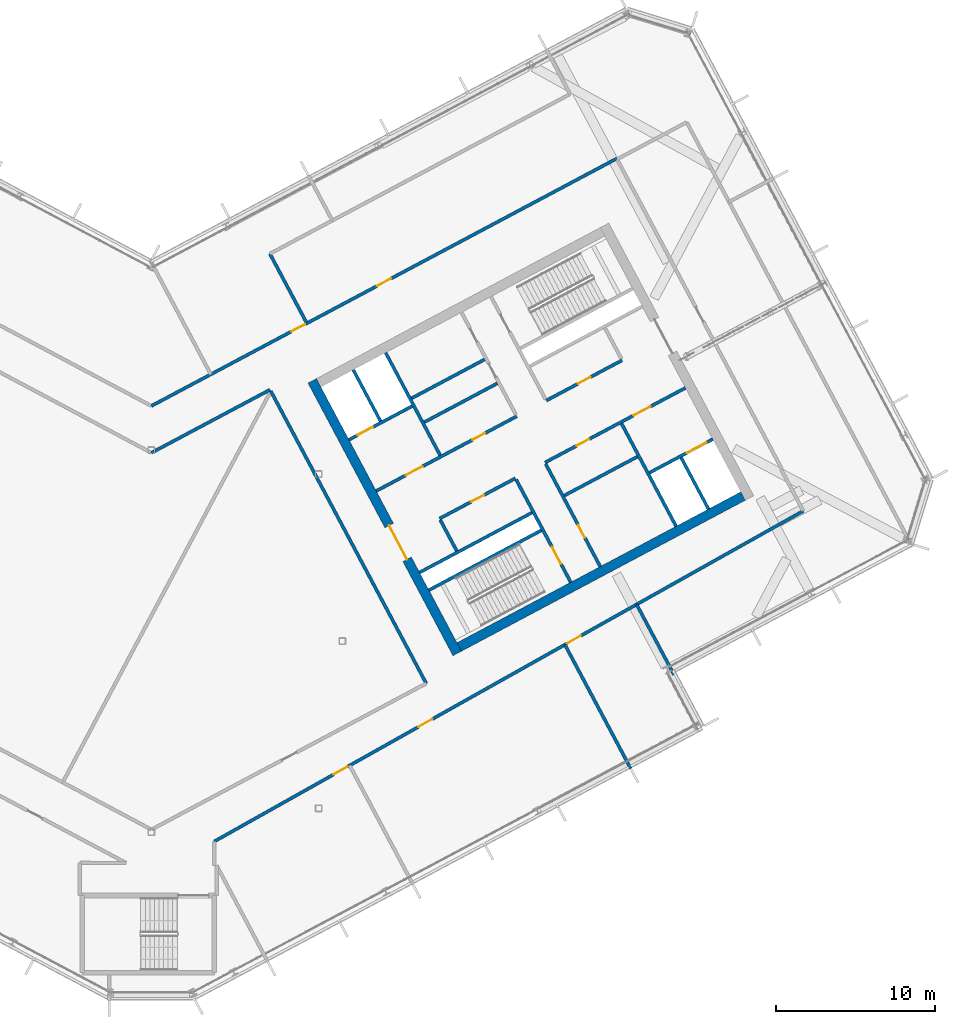
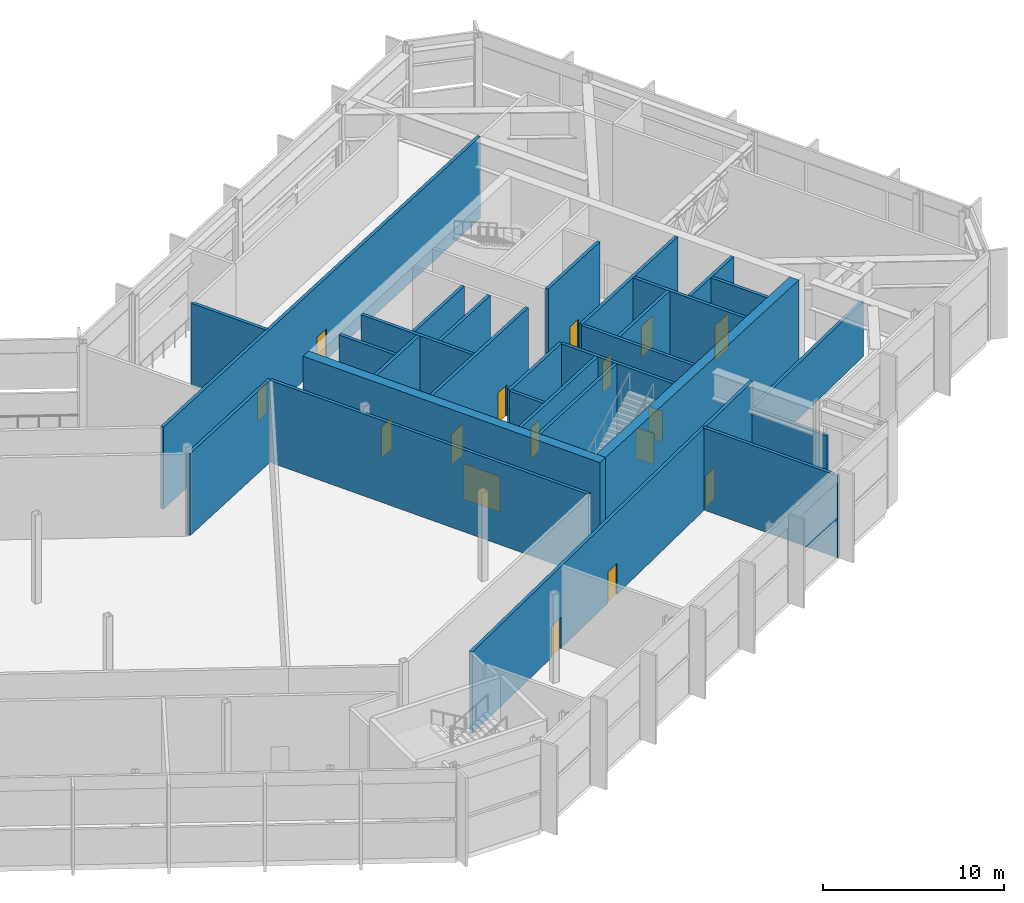
# One storey, part 17 of 33: 28 walls, 16 doors, 16 openings.
"""IFC4 building model written with IfcOpenShell, lengths in metres."""

from ifc_helpers import new_model, si_unit, direction, frame, frame_2d, origin, place, context, subcontext, project, spatial, rectangle, extrude, material, layer, layer_set, type_object, element, fill, save


model = new_model("IFC4")

# Units and contexts
model_context = context("Model", 3, precision=1e-05, world=origin(), true_north=direction((0.0, 1.0)))
body_context = subcontext(model_context, "Body", "Model", "MODEL_VIEW")
ifc_project = project(units=[si_unit("LENGTHUNIT", "METRE"), si_unit("AREAUNIT", "SQUARE_METRE"), si_unit("VOLUMEUNIT", "CUBIC_METRE"), si_unit("PLANEANGLEUNIT", "RADIAN"), si_unit("MASSUNIT", "GRAM", prefix="KILO")], contexts=[model_context])

# Site, building, storey
site_placement = place(None, origin())
site = spatial("IfcSite", under=ifc_project, at=site_placement, CompositionType="ELEMENT")
building_placement = place(site_placement, origin())
building = spatial("IfcBuilding", under=site, at=building_placement, Name="Cormorant Relay Tower", CompositionType="ELEMENT")
storey_placement = place(building_placement, frame((0.0, 0.0, 252.0)))
storey = spatial("IfcBuildingStorey", under=building, at=storey_placement, Name="L56", CompositionType="ELEMENT", Elevation=252.0)

# Walls
ifc_material_1 = material(Name="Concrete 40 MPa", Category="concrete")
ifc_layer_1 = layer(ifc_material_1, 0.199951171875)
ifc_layer_set_1 = layer_set([ifc_layer_1], Name="Core internal wall 200")
wall_type_1 = type_object("IfcWallType", Name="Core internal wall 200", PredefinedType="SOLIDWALL", material=ifc_layer_set_1)
wall_1_placement = place(storey_placement, frame((16.3486328125, 15.26171875, 0.0), z_axis=(0.0, 0.0, 1.0), x_axis=(0.882953967957, 0.469459572775, 0.0)))
element("IfcWall", 1, at=wall_1_placement, inside=storey, type_object=wall_type_1, Name="L56 core B shaft and room wall", PredefinedType="SOLIDWALL", context=body_context, shape_type="SweptSolid", body=[
    extrude(rectangle(XDim=5.199951171875, YDim=0.199951171875, at=frame_2d((2.60009765625, 0.0))), origin(), (0.0, 0.0, 1.0), 6.0),
])
ifc_material_2 = material(Name="Concrete 50 MPa", Category="concrete")
ifc_layer_2 = layer(ifc_material_2, 0.199951171875)
ifc_layer_set_2 = layer_set([ifc_layer_2], Name="Core shaft wall 200")
wall_type_2 = type_object("IfcWallType", Name="Core shaft wall 200", PredefinedType="SHEAR", material=ifc_layer_set_2)
wall_2_placement = place(storey_placement, frame((14.39404296875, 13.825927734375, 0.0), z_axis=(0.0, 0.0, 1.0), x_axis=(-0.469494272526, 0.882935517501, 0.0)))
element("IfcWall", 2, at=wall_2_placement, inside=storey, type_object=wall_type_2, Name="L56 core B shaft wall", PredefinedType="SHEAR", context=body_context, shape_type="SweptSolid", body=[
    extrude(rectangle(XDim=3.64990234375, YDim=0.199951171875, at=frame_2d((1.824951171875, 0.0))), origin(), (0.0, 0.0, 1.0), 6.0),
])
wall_3_placement = place(storey_placement, frame((19.18359375, 5.669921875, 0.0), z_axis=(0.0, 0.0, 1.0), x_axis=(-0.4694473164, 0.882960484464, 0.0)))
element("IfcWall", 3, at=wall_3_placement, inside=storey, type_object=wall_type_2, Name="L56 core B shaft wall", PredefinedType="SHEAR", context=body_context, shape_type="SweptSolid", body=[
    extrude(rectangle(XDim=2.199951171875, YDim=0.199951171875, at=frame_2d((1.10009765625, 0.0))), origin(), (0.0, 0.0, 1.0), 6.0),
])
wall_4_placement = place(storey_placement, frame((18.138427734375, 11.682861328125, 0.0), z_axis=(0.0, 0.0, 1.0), x_axis=(-0.469480409012, 0.88294288918, 0.0)))
element("IfcWall", 4, at=wall_4_placement, inside=storey, type_object=wall_type_2, Name="L56 core B shaft wall", PredefinedType="SHEAR", context=body_context, shape_type="SweptSolid", body=[
    extrude(rectangle(XDim=7.300048828125, YDim=0.199951171875, at=frame_2d((3.64990234375, 0.0))), origin(), (0.0, 0.0, 1.0), 6.0),
])

# Wall, opening, door
wall_5_placement = place(storey_placement, frame((26.345947265625, 3.701904296875, 0.0), z_axis=(0.0, 0.0, 1.0), x_axis=(-0.469480409012, 0.88294288918, 0.0)))
wall_5 = element("IfcWall", 5, at=wall_5_placement, inside=storey, type_object=wall_type_2, Name="L56 core B shaft wall", PredefinedType="SHEAR", context=body_context, shape_type="SweptSolid", body=[
    extrude(rectangle(XDim=7.300048828125, YDim=0.199951171875, at=frame_2d((3.64990234375, 0.0))), origin(), (0.0, 0.0, 1.0), 6.0),
])
opening_1_placement = place(wall_5_placement, frame((1.300048828125, 0.0, 0.0)))
opening_1 = element("IfcOpeningElement", 6, at=opening_1_placement, cuts=wall_5, Name="Opening CDB-031", PredefinedType="OPENING", context=body_context, shape_type="SweptSolid", body=[
    extrude(rectangle(XDim=1.199951171875, YDim=2.10009765625, at=frame_2d((0.60009765625, 1.050048828125))), frame((0.0, 0.10986328125, 0.0), z_axis=(0.0, -1.0, 0.0), x_axis=(1.0, 0.0, 0.0)), (0.0, 0.0, 1.0), 0.219970703125),
])
ifc_material_3 = material(Name="Steel fire door", Category="steel")
door_type_1 = type_object("IfcDoorType", Name="Core stair door 1200x2100", OperationType="SINGLE_SWING_LEFT", PredefinedType="DOOR", material=ifc_material_3)
door_1_placement = place(opening_1_placement, origin())
door_1 = element("IfcDoor", 7, at=door_1_placement, inside=storey, type_object=door_type_1, Name="Core stair door 1200x2100", OperationType="SINGLE_SWING_RIGHT", OverallHeight=2.10009765625, OverallWidth=1.199951171875, PredefinedType="DOOR", context=body_context, shape_type="SweptSolid", body=[
    extrude(rectangle(XDim=1.199951171875, YDim=2.10009765625, at=frame_2d((0.60009765625, 1.050048828125))), frame((0.0, 0.02490234375, 0.0), z_axis=(0.0, -1.0, 0.0), x_axis=(1.0, 0.0, 0.0)), (0.0, 0.0, 1.0), 0.050048828125),
])
fill(opening_1, door_1)

wall_6_placement = place(storey_placement, frame((28.199951171875, 4.687744140625, 0.0), z_axis=(0.0, 0.0, 1.0), x_axis=(-0.469454336211, 0.882956752176, 0.0)))
wall_6 = element("IfcWall", 8, at=wall_6_placement, inside=storey, type_object=wall_type_2, Name="L56 core B shaft wall", PredefinedType="SHEAR", context=body_context, shape_type="SweptSolid", body=[
    extrude(rectangle(XDim=7.300048828125, YDim=0.199951171875, at=frame_2d((3.64990234375, 0.0))), origin(), (0.0, 0.0, 1.0), 6.0),
])
opening_2_placement = place(wall_6_placement, frame((2.050048828125, 0.0, 0.0)))
opening_2 = element("IfcOpeningElement", 9, at=opening_2_placement, cuts=wall_6, Name="Opening CDD-164", PredefinedType="OPENING", context=body_context, shape_type="SweptSolid", body=[
    extrude(rectangle(XDim=0.89990234375, YDim=2.10009765625, at=frame_2d((0.449951171875, 1.050048828125))), frame((0.0, 0.10986328125, 0.0), z_axis=(0.0, -1.0, 0.0), x_axis=(1.0, 0.0, 0.0)), (0.0, 0.0, 1.0), 0.219970703125),
])
ifc_material_4 = material(Name="Steel fire door", Category="steel")
door_type_2 = type_object("IfcDoorType", Name="Core room door 900x2100", OperationType="SINGLE_SWING_LEFT", PredefinedType="DOOR", material=ifc_material_4)
door_2_placement = place(opening_2_placement, frame((0.89990234375, 0.0, 0.0), z_axis=(0.0, 0.0, 1.0), x_axis=(-1.0, 0.0, 0.0)))
door_2 = element("IfcDoor", 10, at=door_2_placement, inside=storey, type_object=door_type_2, Name="Core room door 900x2100", OperationType="SINGLE_SWING_LEFT", OverallHeight=2.10009765625, OverallWidth=0.89990234375, PredefinedType="DOOR", context=body_context, shape_type="SweptSolid", body=[
    extrude(rectangle(XDim=0.89990234375, YDim=2.10009765625, at=frame_2d((0.449951171875, 1.050048828125))), frame((0.0, 0.02490234375, 0.0), z_axis=(0.0, -1.0, 0.0), x_axis=(1.0, 0.0, 0.0)), (0.0, 0.0, 1.0), 0.050048828125),
])
fill(opening_2, door_2)

# Walls
wall_7_placement = place(storey_placement, frame((32.968017578125, 7.222900390625, 0.0), z_axis=(0.0, 0.0, 1.0), x_axis=(-0.469480409012, 0.88294288918, 0.0)))
element("IfcWall", 11, at=wall_7_placement, inside=storey, type_object=wall_type_2, Name="L56 core B shaft wall", PredefinedType="SHEAR", context=body_context, shape_type="SweptSolid", body=[
    extrude(rectangle(XDim=7.300048828125, YDim=0.199951171875, at=frame_2d((3.64990234375, 0.0))), origin(), (0.0, 0.0, 1.0), 6.0),
])
wall_8_placement = place(storey_placement, frame((34.998779296875, 8.302734375, 0.0), z_axis=(0.0, 0.0, 1.0), x_axis=(-0.4694665462, 0.882950260207, 0.0)))
element("IfcWall", 12, at=wall_8_placement, inside=storey, type_object=wall_type_2, Name="L56 core B shaft wall", PredefinedType="SHEAR", context=body_context, shape_type="SweptSolid", body=[
    extrude(rectangle(XDim=3.650146484375, YDim=0.199951171875, at=frame_2d((1.8251953125, 0.0))), origin(), (0.0, 0.0, 1.0), 6.0),
])
wall_9_placement = place(storey_placement, frame((17.43359375, 3.210205078125, 0.0), z_axis=(0.0, 0.0, 1.0), x_axis=(0.882940221191, 0.469485426614, 0.0)))
element("IfcWall", 13, at=wall_9_placement, inside=storey, type_object=wall_type_2, Name="L56 core B shaft wall", PredefinedType="SHEAR", context=body_context, shape_type="SweptSolid", body=[
    extrude(rectangle(XDim=8.0, YDim=0.199951171875, at=frame_2d((4.0, 0.0))), origin(), (0.0, 0.0, 1.0), 6.0),
])

# Wall, opening, door
wall_10_placement = place(storey_placement, frame((31.295654296875, 10.5810546875, 0.0), z_axis=(0.0, 0.0, 1.0), x_axis=(0.882960433586, 0.469447412093, 0.0)))
wall_10 = element("IfcWall", 14, at=wall_10_placement, inside=storey, type_object=wall_type_2, Name="L56 core B shaft wall", PredefinedType="SHEAR", context=body_context, shape_type="SweptSolid", body=[
    extrude(rectangle(XDim=4.5, YDim=0.199951171875, at=frame_2d((2.25, 0.0))), origin(), (0.0, 0.0, 1.0), 6.0),
])
opening_3_placement = place(wall_10_placement, frame((2.64990234375, 0.0, 0.0)))
opening_3 = element("IfcOpeningElement", 15, at=opening_3_placement, cuts=wall_10, Name="Opening LD3-012", PredefinedType="OPENING", context=body_context, shape_type="SweptSolid", body=[
    extrude(rectangle(XDim=1.39990234375, YDim=2.39990234375, at=frame_2d((0.699951171875, 1.199951171875))), frame((0.0, 0.10986328125, 0.0), z_axis=(0.0, -1.0, 0.0), x_axis=(1.0, 0.0, 0.0)), (0.0, 0.0, 1.0), 0.219970703125),
])
ifc_material_5 = material(Name="Stainless steel 316", Category="steel")
door_type_3 = type_object("IfcDoorType", Name="Lift landing door 1400x2400", OperationType="DOUBLE_DOOR_SLIDING", PredefinedType="DOOR", material=ifc_material_5)
door_3_placement = place(opening_3_placement, origin())
door_3 = element("IfcDoor", 16, at=door_3_placement, inside=storey, type_object=door_type_3, Name="SV2 landing door", OperationType="DOUBLE_DOOR_SLIDING", OverallHeight=2.39990234375, OverallWidth=1.39990234375, PredefinedType="DOOR", context=body_context, shape_type="SweptSolid", body=[
    extrude(rectangle(XDim=1.39990234375, YDim=2.39990234375, at=frame_2d((0.699951171875, 1.199951171875))), frame((0.0, 0.02490234375, 0.0), z_axis=(0.0, -1.0, 0.0), x_axis=(1.0, 0.0, 0.0)), (0.0, 0.0, 1.0), 0.050048828125),
])
fill(opening_3, door_3)

# Walls
wall_11_placement = place(storey_placement, frame((16.8466796875, 4.31396484375, 0.0), z_axis=(0.0, 0.0, 1.0), x_axis=(0.882940221191, 0.469485426614, 0.0)))
element("IfcWall", 17, at=wall_11_placement, inside=storey, type_object=wall_type_2, Name="L56 core B shaft wall", PredefinedType="SHEAR", context=body_context, shape_type="SweptSolid", body=[
    extrude(rectangle(XDim=8.0, YDim=0.199951171875, at=frame_2d((4.0, 0.0))), origin(), (0.0, 0.0, 1.0), 6.0),
])
wall_12_placement = place(storey_placement, frame((25.94091796875, 9.149658203125, 0.0), z_axis=(0.0, 0.0, 1.0), x_axis=(0.882953967957, 0.469459572775, 0.0)))
element("IfcWall", 18, at=wall_12_placement, inside=storey, type_object=wall_type_2, Name="L56 core B shaft wall", PredefinedType="SHEAR", context=body_context, shape_type="SweptSolid", body=[
    extrude(rectangle(XDim=5.199951171875, YDim=0.199951171875, at=frame_2d((2.60009765625, 0.0))), origin(), (0.0, 0.0, 1.0), 6.0),
])

# Wall, opening, door
wall_13_placement = place(storey_placement, frame((18.103759765625, 7.70068359375, 0.0), z_axis=(0.0, 0.0, 1.0), x_axis=(0.882952937579, 0.469461510692, 0.0)))
wall_13 = element("IfcWall", 19, at=wall_13_placement, inside=storey, type_object=wall_type_2, Name="L56 core B shaft wall", PredefinedType="SHEAR", context=body_context, shape_type="SweptSolid", body=[
    extrude(rectangle(XDim=5.400146484375, YDim=0.199951171875, at=frame_2d((2.7001953125, 0.0))), origin(), (0.0, 0.0, 1.0), 6.0),
])
opening_4_placement = place(wall_13_placement, frame((2.25, 0.0, 0.0)))
opening_4 = element("IfcOpeningElement", 20, at=opening_4_placement, cuts=wall_13, Name="Opening CDD-311", PredefinedType="OPENING", context=body_context, shape_type="SweptSolid", body=[
    extrude(rectangle(XDim=0.89990234375, YDim=2.10009765625, at=frame_2d((0.449951171875, 1.050048828125))), frame((0.0, 0.10986328125, 0.0), z_axis=(0.0, -1.0, 0.0), x_axis=(1.0, 0.0, 0.0)), (0.0, 0.0, 1.0), 0.219970703125),
])
door_4_placement = place(opening_4_placement, frame((0.89990234375, 0.0, 0.0), z_axis=(0.0, 0.0, 1.0), x_axis=(-1.0, 0.0, 0.0)))
door_4 = element("IfcDoor", 21, at=door_4_placement, inside=storey, type_object=door_type_2, Name="Core room door 900x2100", OperationType="SINGLE_SWING_RIGHT", OverallHeight=2.10009765625, OverallWidth=0.89990234375, PredefinedType="DOOR", context=body_context, shape_type="SweptSolid", body=[
    extrude(rectangle(XDim=0.89990234375, YDim=2.10009765625, at=frame_2d((0.449951171875, 1.050048828125))), frame((0.0, 0.02490234375, 0.0), z_axis=(0.0, -1.0, 0.0), x_axis=(1.0, 0.0, 0.0)), (0.0, 0.0, 1.0), 0.050048828125),
])
fill(opening_4, door_4)

# Wall, openings, doors
wall_14_placement = place(storey_placement, frame((24.72607421875, 11.2216796875, 0.0), z_axis=(0.0, 0.0, 1.0), x_axis=(0.882940221191, 0.469485426614, 0.0)))
wall_14 = element("IfcWall", 22, at=wall_14_placement, inside=storey, type_object=wall_type_2, Name="L56 core B shaft wall", PredefinedType="SHEAR", context=body_context, shape_type="SweptSolid", body=[
    extrude(rectangle(XDim=10.0, YDim=0.199951171875, at=frame_2d((5.0, 0.0))), origin(), (0.0, 0.0, 1.0), 6.0),
])
opening_5_placement = place(wall_14_placement, frame((6.300048828125, 0.0, 0.0)))
opening_5 = element("IfcOpeningElement", 23, at=opening_5_placement, cuts=wall_14, Name="Opening CDC-024", PredefinedType="OPENING", context=body_context, shape_type="SweptSolid", body=[
    extrude(rectangle(XDim=1.199951171875, YDim=2.10009765625, at=frame_2d((0.60009765625, 1.050048828125))), frame((0.0, 0.10986328125, 0.0), z_axis=(0.0, -1.0, 0.0), x_axis=(1.0, 0.0, 0.0)), (0.0, 0.0, 1.0), 0.219970703125),
])
opening_6_placement = place(wall_14_placement, frame((2.25, 0.0, 0.0)))
opening_6 = element("IfcOpeningElement", 24, at=opening_6_placement, cuts=wall_14, Name="Opening CDD-160", PredefinedType="OPENING", context=body_context, shape_type="SweptSolid", body=[
    extrude(rectangle(XDim=0.89990234375, YDim=2.10009765625, at=frame_2d((0.449951171875, 1.050048828125))), frame((0.0, 0.10986328125, 0.0), z_axis=(0.0, -1.0, 0.0), x_axis=(1.0, 0.0, 0.0)), (0.0, 0.0, 1.0), 0.219970703125),
])
ifc_material_6 = material(Name="Steel fire door", Category="steel")
door_type_4 = type_object("IfcDoorType", Name="Core lobby door 1200x2100", OperationType="SINGLE_SWING_LEFT", PredefinedType="DOOR", material=ifc_material_6)
door_5_placement = place(opening_5_placement, frame((1.199951171875, 0.0, 0.0), z_axis=(0.0, 0.0, 1.0), x_axis=(-1.0, 0.0, 0.0)))
door_5 = element("IfcDoor", 25, at=door_5_placement, inside=storey, type_object=door_type_4, Name="Core lobby door 1200x2100", OperationType="SINGLE_SWING_RIGHT", OverallHeight=2.10009765625, OverallWidth=1.199951171875, PredefinedType="DOOR", context=body_context, shape_type="SweptSolid", body=[
    extrude(rectangle(XDim=1.199951171875, YDim=2.10009765625, at=frame_2d((0.60009765625, 1.050048828125))), frame((0.0, 0.02490234375, 0.0), z_axis=(0.0, -1.0, 0.0), x_axis=(1.0, 0.0, 0.0)), (0.0, 0.0, 1.0), 0.050048828125),
])
fill(opening_5, door_5)
door_6_placement = place(opening_6_placement, frame((0.89990234375, 0.0, 0.0), z_axis=(0.0, 0.0, 1.0), x_axis=(-1.0, 0.0, 0.0)))
door_6 = element("IfcDoor", 26, at=door_6_placement, inside=storey, type_object=door_type_2, Name="Core room door 900x2100", OperationType="SINGLE_SWING_RIGHT", OverallHeight=2.10009765625, OverallWidth=0.89990234375, PredefinedType="DOOR", context=body_context, shape_type="SweptSolid", body=[
    extrude(rectangle(XDim=0.89990234375, YDim=2.10009765625, at=frame_2d((0.449951171875, 1.050048828125))), frame((0.0, 0.02490234375, 0.0), z_axis=(0.0, -1.0, 0.0), x_axis=(1.0, 0.0, 0.0)), (0.0, 0.0, 1.0), 0.050048828125),
])
fill(opening_6, door_6)

wall_15_placement = place(storey_placement, frame((14.123779296875, 9.43505859375, 0.0), z_axis=(0.0, 0.0, 1.0), x_axis=(0.882940221191, 0.469485426614, 0.0)))
wall_15 = element("IfcWall", 27, at=wall_15_placement, inside=storey, type_object=wall_type_2, Name="L56 core B shaft wall", PredefinedType="SHEAR", context=body_context, shape_type="SweptSolid", body=[
    extrude(rectangle(XDim=10.0, YDim=0.199951171875, at=frame_2d((5.0, 0.0))), origin(), (0.0, 0.0, 1.0), 6.0),
])
opening_7_placement = place(wall_15_placement, frame((2.10009765625, 0.0, 0.0)))
opening_7 = element("IfcOpeningElement", 28, at=opening_7_placement, cuts=wall_15, Name="Opening CDC-023", PredefinedType="OPENING", context=body_context, shape_type="SweptSolid", body=[
    extrude(rectangle(XDim=1.199951171875, YDim=2.10009765625, at=frame_2d((0.60009765625, 1.050048828125))), frame((0.0, 0.10986328125, 0.0), z_axis=(0.0, -1.0, 0.0), x_axis=(1.0, 0.0, 0.0)), (0.0, 0.0, 1.0), 0.219970703125),
])
opening_8_placement = place(wall_15_placement, frame((6.85009765625, 0.0, 0.0)))
opening_8 = element("IfcOpeningElement", 29, at=opening_8_placement, cuts=wall_15, Name="Opening CDD-309", PredefinedType="OPENING", context=body_context, shape_type="SweptSolid", body=[
    extrude(rectangle(XDim=0.89990234375, YDim=2.10009765625, at=frame_2d((0.449951171875, 1.050048828125))), frame((0.0, 0.10986328125, 0.0), z_axis=(0.0, -1.0, 0.0), x_axis=(1.0, 0.0, 0.0)), (0.0, 0.0, 1.0), 0.219970703125),
])
door_7_placement = place(opening_7_placement, origin())
door_7 = element("IfcDoor", 30, at=door_7_placement, inside=storey, type_object=door_type_4, Name="Core lobby door 1200x2100", OperationType="SINGLE_SWING_RIGHT", OverallHeight=2.10009765625, OverallWidth=1.199951171875, PredefinedType="DOOR", context=body_context, shape_type="SweptSolid", body=[
    extrude(rectangle(XDim=1.199951171875, YDim=2.10009765625, at=frame_2d((0.60009765625, 1.050048828125))), frame((0.0, 0.02490234375, 0.0), z_axis=(0.0, -1.0, 0.0), x_axis=(1.0, 0.0, 0.0)), (0.0, 0.0, 1.0), 0.050048828125),
])
fill(opening_7, door_7)
door_8_placement = place(opening_8_placement, frame((0.89990234375, 0.0, 0.0), z_axis=(0.0, 0.0, 1.0), x_axis=(-1.0, 0.0, 0.0)))
door_8 = element("IfcDoor", 31, at=door_8_placement, inside=storey, type_object=door_type_2, Name="Core room door 900x2100", OperationType="SINGLE_SWING_RIGHT", OverallHeight=2.10009765625, OverallWidth=0.89990234375, PredefinedType="DOOR", context=body_context, shape_type="SweptSolid", body=[
    extrude(rectangle(XDim=0.89990234375, YDim=2.10009765625, at=frame_2d((0.449951171875, 1.050048828125))), frame((0.0, 0.02490234375, 0.0), z_axis=(0.0, -1.0, 0.0), x_axis=(1.0, 0.0, 0.0)), (0.0, 0.0, 1.0), 0.050048828125),
])
fill(opening_8, door_8)

# Wall, opening, door
wall_16_placement = place(storey_placement, frame((24.807373046875, 15.11572265625, 0.0), z_axis=(0.0, 0.0, 1.0), x_axis=(0.882942972946, 0.469480251476, 0.0)))
wall_16 = element("IfcWall", 32, at=wall_16_placement, inside=storey, type_object=wall_type_2, Name="L56 core B shaft wall", PredefinedType="SHEAR", context=body_context, shape_type="SweptSolid", body=[
    extrude(rectangle(XDim=5.39990234375, YDim=0.199951171875, at=frame_2d((2.699951171875, 0.0))), origin(), (0.0, 0.0, 1.0), 6.0),
])
opening_9_placement = place(wall_16_placement, frame((2.25, 0.0, 0.0)))
opening_9 = element("IfcOpeningElement", 33, at=opening_9_placement, cuts=wall_16, Name="Opening CDD-310", PredefinedType="OPENING", context=body_context, shape_type="SweptSolid", body=[
    extrude(rectangle(XDim=0.89990234375, YDim=2.10009765625, at=frame_2d((0.449951171875, 1.050048828125))), frame((0.0, 0.10986328125, 0.0), z_axis=(0.0, -1.0, 0.0), x_axis=(1.0, 0.0, 0.0)), (0.0, 0.0, 1.0), 0.219970703125),
])
door_9_placement = place(opening_9_placement, frame((0.89990234375, 0.0, 0.0), z_axis=(0.0, 0.0, 1.0), x_axis=(-1.0, 0.0, 0.0)))
door_9 = element("IfcDoor", 34, at=door_9_placement, inside=storey, type_object=door_type_2, Name="Core room door 900x2100", OperationType="SINGLE_SWING_RIGHT", OverallHeight=2.10009765625, OverallWidth=0.89990234375, PredefinedType="DOOR", context=body_context, shape_type="SweptSolid", body=[
    extrude(rectangle(XDim=0.89990234375, YDim=2.10009765625, at=frame_2d((0.449951171875, 1.050048828125))), frame((0.0, 0.02490234375, 0.0), z_axis=(0.0, -1.0, 0.0), x_axis=(1.0, 0.0, 0.0)), (0.0, 0.0, 1.0), 0.050048828125),
])
fill(opening_9, door_9)

# Wall
wall_17_placement = place(storey_placement, frame((17.146728515625, 13.7607421875, 0.0), z_axis=(0.0, 0.0, 1.0), x_axis=(0.882964314875, 0.469440111896, 0.0)))
element("IfcWall", 35, at=wall_17_placement, inside=storey, type_object=wall_type_2, Name="L56 core B shaft wall", PredefinedType="SHEAR", context=body_context, shape_type="SweptSolid", body=[
    extrude(rectangle(XDim=5.2001953125, YDim=0.199951171875, at=frame_2d((2.60009765625, 0.0))), origin(), (0.0, 0.0, 1.0), 6.0),
])

# Wall, opening, door
wall_18_placement = place(storey_placement, frame((12.41015625, 12.657958984375, 0.0), z_axis=(0.0, 0.0, 1.0), x_axis=(0.8829484765, 0.469469900894, 0.0)))
wall_18 = element("IfcWall", 36, at=wall_18_placement, inside=storey, type_object=wall_type_2, Name="L56 core B shaft wall", PredefinedType="SHEAR", context=body_context, shape_type="SweptSolid", body=[
    extrude(rectangle(XDim=4.499755859375, YDim=0.199951171875, at=frame_2d((2.25, 0.0))), origin(), (0.0, 0.0, 1.0), 6.0),
])
opening_10_placement = place(wall_18_placement, frame((0.60009765625, 0.0, 0.0)))
opening_10 = element("IfcOpeningElement", 37, at=opening_10_placement, cuts=wall_18, Name="Opening LD1-042", PredefinedType="OPENING", context=body_context, shape_type="SweptSolid", body=[
    extrude(rectangle(XDim=1.10009765625, YDim=2.10009765625, at=frame_2d((0.550048828125, 1.050048828125))), frame((0.0, 0.10986328125, 0.0), z_axis=(0.0, -1.0, 0.0), x_axis=(1.0, 0.0, 0.0)), (0.0, 0.0, 1.0), 0.219970703125),
])
ifc_material_7 = material(Name="Stainless steel 316", Category="steel")
door_type_5 = type_object("IfcDoorType", Name="Lift landing door 1100x2100", OperationType="DOUBLE_DOOR_SLIDING", PredefinedType="DOOR", material=ifc_material_7)
door_10_placement = place(opening_10_placement, origin())
door_10 = element("IfcDoor", 38, at=door_10_placement, inside=storey, type_object=door_type_5, Name="FF2 landing door", OperationType="DOUBLE_DOOR_SLIDING", OverallHeight=2.10009765625, OverallWidth=1.10009765625, PredefinedType="DOOR", context=body_context, shape_type="SweptSolid", body=[
    extrude(rectangle(XDim=1.10009765625, YDim=2.10009765625, at=frame_2d((0.550048828125, 1.050048828125))), frame((0.0, 0.02490234375, 0.0), z_axis=(0.0, -1.0, 0.0), x_axis=(1.0, 0.0, 0.0)), (0.0, 0.0, 1.0), 0.050048828125),
])
fill(opening_10, door_10)

ifc_material_8 = material(Name="Concrete 50 MPa", Category="concrete")
ifc_layer_3 = layer(ifc_material_8, 0.60009765625)
ifc_layer_set_3 = layer_set([ifc_layer_3], Name="Core wall 600")
wall_type_3 = type_object("IfcWallType", Name="Core wall 600", PredefinedType="SHEAR", material=ifc_layer_set_3)
wall_19_placement = place(storey_placement, frame((19.210693359375, -0.771484375, 0.0), z_axis=(0.0, 0.0, 1.0), x_axis=(-0.469463742137, 0.882951751127, 0.0)))
wall_19 = element("IfcWall", 39, at=wall_19_placement, inside=storey, type_object=wall_type_3, Name="L56 core B wall", PredefinedType="SHEAR", context=body_context, shape_type="SweptSolid", body=[
    extrude(rectangle(XDim=19.400146484375, YDim=0.60009765625, at=frame_2d((9.7001953125, 0.0))), origin(), (0.0, 0.0, 1.0), 6.0),
])
opening_11_placement = place(wall_19_placement, frame((6.699951171875, 0.0, 0.0)))
opening_11 = element("IfcOpeningElement", 40, at=opening_11_placement, cuts=wall_19, Name="Opening CDA-048", PredefinedType="OPENING", context=body_context, shape_type="SweptSolid", body=[
    extrude(rectangle(XDim=2.39990234375, YDim=2.39990234375, at=frame_2d((1.199951171875, 1.199951171875))), frame((0.0, 0.31005859375, 0.0), z_axis=(0.0, -1.0, 0.0), x_axis=(1.0, 0.0, 0.0)), (0.0, 0.0, 1.0), 0.6201171875),
])
ifc_material_9 = material(Name="Steel fire door", Category="steel")
door_type_6 = type_object("IfcDoorType", Name="Core lobby door 2400x2400", OperationType="DOUBLE_DOOR_SINGLE_SWING", PredefinedType="DOOR", material=ifc_material_9)
door_11_placement = place(opening_11_placement, frame((2.39990234375, 0.0, 0.0), z_axis=(0.0, 0.0, 1.0), x_axis=(-1.0, 0.0, 0.0)))
door_11 = element("IfcDoor", 41, at=door_11_placement, inside=storey, type_object=door_type_6, Name="Core lobby door 2400x2400", OperationType="DOUBLE_DOOR_SINGLE_SWING", OverallHeight=2.39990234375, OverallWidth=2.39990234375, PredefinedType="DOOR", context=body_context, shape_type="SweptSolid", body=[
    extrude(rectangle(XDim=2.39990234375, YDim=2.39990234375, at=frame_2d((1.199951171875, 1.199951171875))), frame((0.0, 0.02490234375, 0.0), z_axis=(0.0, -1.0, 0.0), x_axis=(1.0, 0.0, 0.0)), (0.0, 0.0, 1.0), 0.050048828125),
])
fill(opening_11, door_11)

# Wall
wall_20_placement = place(storey_placement, frame((19.3349609375, -0.36572265625, 0.0), z_axis=(0.0, 0.0, 1.0), x_axis=(0.88294509198, 0.469476266226, 0.0)))
element("IfcWall", 42, at=wall_20_placement, inside=storey, type_object=wall_type_3, Name="L56 core B wall", PredefinedType="SHEAR", context=body_context, shape_type="SweptSolid", body=[
    extrude(rectangle(XDim=20.199951171875, YDim=0.60009765625, at=frame_2d((10.10009765625, 0.0))), origin(), (0.0, 0.0, 1.0), 6.0),
])

# Wall, openings, doors
ifc_material_10 = material(Name="Fire-rated gypsum board partition")
ifc_layer_4 = layer(ifc_material_10, 0.199951171875)
ifc_layer_set_4 = layer_set([ifc_layer_4], Name="Fire-rated gypsum partition 200")
wall_type_4 = type_object("IfcWallType", Name="Fire-rated gypsum partition 200", PredefinedType="PARTITIONING", material=ifc_layer_set_4)
wall_21_placement = place(storey_placement, frame((0.0, 14.780029296875, 0.0), z_axis=(0.0, 0.0, 1.0), x_axis=(0.882955567988, 0.469456563443, 0.0)))
wall_21 = element("IfcWall", 43, at=wall_21_placement, inside=storey, type_object=wall_type_4, Name="wall/L56/part/33", PredefinedType="PARTITIONING", context=body_context, shape_type="SweptSolid", body=[
    extrude(rectangle(XDim=33.110595703125, YDim=0.199951171875, at=frame_2d((16.55517578125, 0.0))), origin(), (0.0, 0.0, 1.0), 5.550048828125),
])
opening_12_placement = place(wall_21_placement, frame((16.050048828125, 0.0, 0.0)))
opening_12 = element("IfcOpeningElement", 44, at=opening_12_placement, cuts=wall_21, Name="Opening FD1-191", PredefinedType="OPENING", context=body_context, shape_type="SweptSolid", body=[
    extrude(rectangle(XDim=1.0, YDim=2.10009765625, at=frame_2d((0.5, 1.050048828125))), frame((0.0, 0.10986328125, 0.0), z_axis=(0.0, -1.0, 0.0), x_axis=(1.0, 0.0, 0.0)), (0.0, 0.0, 1.0), 0.219970703125),
])
opening_13_placement = place(wall_21_placement, frame((9.949951171875, 0.0, 0.0)))
opening_13 = element("IfcOpeningElement", 45, at=opening_13_placement, cuts=wall_21, Name="Opening FD1-192", PredefinedType="OPENING", context=body_context, shape_type="SweptSolid", body=[
    extrude(rectangle(XDim=1.0, YDim=2.10009765625, at=frame_2d((0.5, 1.050048828125))), frame((0.0, 0.10986328125, 0.0), z_axis=(0.0, -1.0, 0.0), x_axis=(1.0, 0.0, 0.0)), (0.0, 0.0, 1.0), 0.219970703125),
])
ifc_material_11 = material(Name="Fire-rated steel door", Category="steel")
door_type_7 = type_object("IfcDoorType", Name="Fire door 1000 x 2100", OperationType="SINGLE_SWING_LEFT", PredefinedType="DOOR", material=ifc_material_11)
door_12_placement = place(opening_12_placement, origin())
door_12 = element("IfcDoor", 46, at=door_12_placement, inside=storey, type_object=door_type_7, Name="door/L56/6", OperationType="SINGLE_SWING_LEFT", OverallHeight=2.10009765625, OverallWidth=1.0, PredefinedType="DOOR", context=body_context, shape_type="SweptSolid", body=[
    extrude(rectangle(XDim=1.0, YDim=2.10009765625, at=frame_2d((0.5, 1.050048828125))), frame((0.0, 0.02490234375, 0.0), z_axis=(0.0, -1.0, 0.0), x_axis=(1.0, 0.0, 0.0)), (0.0, 0.0, 1.0), 0.050048828125),
])
fill(opening_12, door_12)
door_13_placement = place(opening_13_placement, origin())
door_13 = element("IfcDoor", 47, at=door_13_placement, inside=storey, type_object=door_type_7, Name="door/L56/7", OperationType="SINGLE_SWING_RIGHT", OverallHeight=2.10009765625, OverallWidth=1.0, PredefinedType="DOOR", context=body_context, shape_type="SweptSolid", body=[
    extrude(rectangle(XDim=1.0, YDim=2.10009765625, at=frame_2d((0.5, 1.050048828125))), frame((0.0, 0.02490234375, 0.0), z_axis=(0.0, -1.0, 0.0), x_axis=(1.0, 0.0, 0.0)), (0.0, 0.0, 1.0), 0.050048828125),
])
fill(opening_13, door_13)

# Walls
wall_22_placement = place(storey_placement, frame((0.0, 11.8349609375, 0.0), z_axis=(0.0, 0.0, 1.0), x_axis=(0.882938953492, 0.469487810711, 0.0)))
element("IfcWall", 48, at=wall_22_placement, inside=storey, type_object=wall_type_4, Name="wall/L56/part/42", PredefinedType="PARTITIONING", context=body_context, shape_type="SweptSolid", body=[
    extrude(rectangle(XDim=8.443359375, YDim=0.199951171875, at=frame_2d((4.2216796875, 0.0))), origin(), (0.0, 0.0, 1.0), 5.550048828125),
])
wall_23_placement = place(storey_placement, frame((7.5009765625, 15.712890625, 0.0), z_axis=(0.0, 0.0, 1.0), x_axis=(0.469480417329, -0.882942884758, 0.0)))
element("IfcWall", 49, at=wall_23_placement, inside=storey, type_object=wall_type_4, Name="wall/L56/part/43", PredefinedType="PARTITIONING", context=body_context, shape_type="SweptSolid", body=[
    extrude(rectangle(XDim=20.802001953125, YDim=0.199951171875, at=frame_2d((10.40087890625, 0.0))), origin(), (0.0, 0.0, 1.0), 5.550048828125),
])

# Wall, openings, doors
wall_24_placement = place(storey_placement, frame((30.50390625, 2.320068359375, 0.0), z_axis=(0.0, 0.0, 1.0), x_axis=(-0.872045563358, -0.489424698424, 0.0)))
wall_24 = element("IfcWall", 50, at=wall_24_placement, inside=storey, type_object=wall_type_4, Name="wall/L56/part/49", PredefinedType="PARTITIONING", context=body_context, shape_type="SweptSolid", body=[
    extrude(rectangle(XDim=30.4501953125, YDim=0.199951171875, at=frame_2d((15.22509765625, 0.0))), origin(), (0.0, 0.0, 1.0), 5.550048828125),
])
opening_14_placement = place(wall_24_placement, frame((20.85009765625, 0.0, 0.0)))
opening_14 = element("IfcOpeningElement", 51, at=opening_14_placement, cuts=wall_24, Name="Opening FD1-187", PredefinedType="OPENING", context=body_context, shape_type="SweptSolid", body=[
    extrude(rectangle(XDim=1.0, YDim=2.10009765625, at=frame_2d((0.5, 1.050048828125))), frame((0.0, 0.10986328125, 0.0), z_axis=(0.0, -1.0, 0.0), x_axis=(1.0, 0.0, 0.0)), (0.0, 0.0, 1.0), 0.219970703125),
])
opening_15_placement = place(wall_24_placement, frame((14.75, 0.0, 0.0)))
opening_15 = element("IfcOpeningElement", 52, at=opening_15_placement, cuts=wall_24, Name="Opening FD1-188", PredefinedType="OPENING", context=body_context, shape_type="SweptSolid", body=[
    extrude(rectangle(XDim=1.0, YDim=2.10009765625, at=frame_2d((0.5, 1.050048828125))), frame((0.0, 0.10986328125, 0.0), z_axis=(0.0, -1.0, 0.0), x_axis=(1.0, 0.0, 0.0)), (0.0, 0.0, 1.0), 0.219970703125),
])
opening_16_placement = place(wall_24_placement, frame((4.050048828125, 0.0, 0.0)))
opening_16 = element("IfcOpeningElement", 53, at=opening_16_placement, cuts=wall_24, Name="Opening FD1-189", PredefinedType="OPENING", context=body_context, shape_type="SweptSolid", body=[
    extrude(rectangle(XDim=1.0, YDim=2.10009765625, at=frame_2d((0.5, 1.050048828125))), frame((0.0, 0.10986328125, 0.0), z_axis=(0.0, -1.0, 0.0), x_axis=(1.0, 0.0, 0.0)), (0.0, 0.0, 1.0), 0.219970703125),
])
door_14_placement = place(opening_14_placement, origin())
door_14 = element("IfcDoor", 54, at=door_14_placement, inside=storey, type_object=door_type_7, Name="door/L56/2", OperationType="SINGLE_SWING_LEFT", OverallHeight=2.10009765625, OverallWidth=1.0, PredefinedType="DOOR", context=body_context, shape_type="SweptSolid", body=[
    extrude(rectangle(XDim=1.0, YDim=2.10009765625, at=frame_2d((0.5, 1.050048828125))), frame((0.0, 0.02490234375, 0.0), z_axis=(0.0, -1.0, 0.0), x_axis=(1.0, 0.0, 0.0)), (0.0, 0.0, 1.0), 0.050048828125),
])
fill(opening_14, door_14)
door_15_placement = place(opening_15_placement, origin())
door_15 = element("IfcDoor", 55, at=door_15_placement, inside=storey, type_object=door_type_7, Name="door/L56/3", OperationType="SINGLE_SWING_RIGHT", OverallHeight=2.10009765625, OverallWidth=1.0, PredefinedType="DOOR", context=body_context, shape_type="SweptSolid", body=[
    extrude(rectangle(XDim=1.0, YDim=2.10009765625, at=frame_2d((0.5, 1.050048828125))), frame((0.0, 0.02490234375, 0.0), z_axis=(0.0, -1.0, 0.0), x_axis=(1.0, 0.0, 0.0)), (0.0, 0.0, 1.0), 0.050048828125),
])
fill(opening_15, door_15)
door_16_placement = place(opening_16_placement, origin())
door_16 = element("IfcDoor", 56, at=door_16_placement, inside=storey, type_object=door_type_7, Name="door/L56/4", OperationType="SINGLE_SWING_RIGHT", OverallHeight=2.10009765625, OverallWidth=1.0, PredefinedType="DOOR", context=body_context, shape_type="SweptSolid", body=[
    extrude(rectangle(XDim=1.0, YDim=2.10009765625, at=frame_2d((0.5, 1.050048828125))), frame((0.0, 0.02490234375, 0.0), z_axis=(0.0, -1.0, 0.0), x_axis=(1.0, 0.0, 0.0)), (0.0, 0.0, 1.0), 0.050048828125),
])
fill(opening_16, door_16)

# Walls
wall_25_placement = place(storey_placement, frame((7.443115234375, 24.343017578125, 0.0), z_axis=(0.0, 0.0, 1.0), x_axis=(0.46941874991, -0.882975671937, 0.0)))
element("IfcWall", 57, at=wall_25_placement, inside=storey, type_object=wall_type_4, Name="wall/L56/part/54", PredefinedType="PARTITIONING", context=body_context, shape_type="SweptSolid", body=[
    extrude(rectangle(XDim=4.899169921875, YDim=0.199951171875, at=frame_2d((2.44970703125, 0.0))), origin(), (0.0, 0.0, 1.0), 5.550048828125),
])
wall_26_placement = place(storey_placement, frame((25.97802734375, -0.219970703125, 0.0), z_axis=(0.0, 0.0, 1.0), x_axis=(0.469366612672, -0.883003387824, 0.0)))
element("IfcWall", 58, at=wall_26_placement, inside=storey, type_object=wall_type_4, Name="wall/L56/part/58", PredefinedType="PARTITIONING", context=body_context, shape_type="SweptSolid", body=[
    extrude(rectangle(XDim=8.809814453125, YDim=0.199951171875, at=frame_2d((4.40478515625, 0.0))), origin(), (0.0, 0.0, 1.0), 5.550048828125),
])
wall_27_placement = place(storey_placement, frame((30.485107421875, 2.30908203125, 0.0), z_axis=(0.0, 0.0, 1.0), x_axis=(0.469401141758, -0.882985032782, 0.0)))
element("IfcWall", 59, at=wall_27_placement, inside=storey, type_object=wall_type_4, Name="wall/L56/part/62", PredefinedType="PARTITIONING", context=body_context, shape_type="SweptSolid", body=[
    extrude(rectangle(XDim=5.008056640625, YDim=0.199951171875, at=frame_2d((2.50390625, 0.0))), origin(), (0.0, 0.0, 1.0), 3.72998046875),
])
wall_28_placement = place(storey_placement, frame((40.951904296875, 8.18310546875, 0.0), z_axis=(0.0, 0.0, 1.0), x_axis=(-0.872073046487, -0.489375726402, 0.0)))
element("IfcWall", 60, at=wall_28_placement, inside=storey, type_object=wall_type_4, Name="wall/L56/part/64", PredefinedType="PARTITIONING", context=body_context, shape_type="SweptSolid", body=[
    extrude(rectangle(XDim=11.980712890625, YDim=0.199951171875, at=frame_2d((5.990234375, 0.0))), origin(), (0.0, 0.0, 1.0), 3.72998046875),
])

save(model, "model.ifc")
